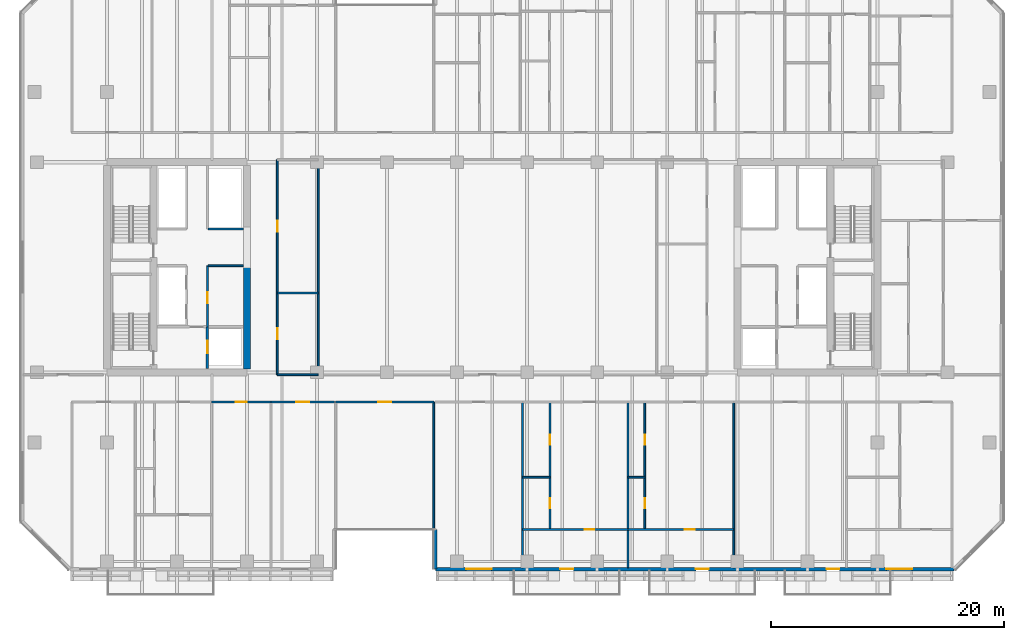
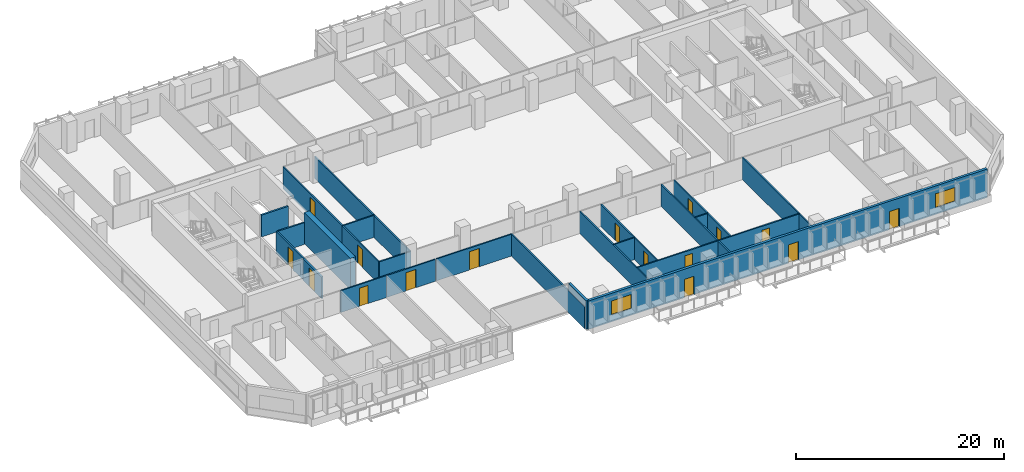
# One storey, part 11 of 25: 25 walls, 16 doors, 2 windows, 18 openings.
"""IFC4 building model written with IfcOpenShell, lengths in metres."""

import ifcopenshell
import ifcopenshell.guid

model = None  # the IFC model being written
_history = None  # IfcOwnerHistory: only IFC2X3 demands one
_inside = {}  # id of a spatial element -> (the spatial element, [elements in it])
_under = {}  # id of a project, library or spatial element -> (it, [spatial elements below it])
_declared = {}  # id of a project -> (the project, [libraries it declares])
_typed = {}  # id of a type object -> (the type object, [elements of that type])
_made_of = {}  # id of a material, layer set ... -> (it, [elements and type objects made of it])


def new_model(schema):
    """Start an empty IFC model of exactly this schema.

    Asked for "IFC4X3", IfcOpenShell would pick the latest addendum, in which some entities
    have other attributes; the version numbers below select the first issue.
    IFC2X3 requires an IfcOwnerHistory on every rooted entity: one is made here for all.
    """
    global model, _history
    if schema == "IFC4X3":
        model = ifcopenshell.file(schema_version=(4, 3, 0, 0))
    else:
        model = ifcopenshell.file(schema=schema)
    _inside.clear()
    _under.clear()
    _declared.clear()
    _typed.clear()
    _made_of.clear()
    _history = None
    if model.schema == "IFC2X3":
        org = make("IfcOrganization", Name="unknown")
        user = make(
            "IfcPersonAndOrganization",
            ThePerson=make("IfcPerson", FamilyName="unknown"),
            TheOrganization=org,
        )
        app = make(
            "IfcApplication",
            ApplicationDeveloper=org,
            Version="unknown",
            ApplicationFullName="unknown",
            ApplicationIdentifier="unknown",
        )
        _history = make(
            "IfcOwnerHistory",
            OwningUser=user,
            OwningApplication=app,
            ChangeAction="ADDED",
            CreationDate=0,
        )
    return model


def make(cls, **values):
    """One entity of the class cls with the attributes given. An attribute that is None is left unset."""
    return model.create_entity(
        cls, **{name: value for name, value in values.items() if value is not None}
    )


def rooted(cls, **values):
    """An entity with a GlobalId (a new one), such as an element, a storey or a relation."""
    return make(cls, GlobalId=ifcopenshell.guid.new(), OwnerHistory=_history, **values)


def si_unit(unit_type, name, prefix=None):
    """IfcSIUnit, for example si_unit("LENGTHUNIT", "METRE", prefix="MILLI")."""
    return make("IfcSIUnit", UnitType=unit_type, Prefix=prefix, Name=name)


def assignment(units):
    """IfcUnitAssignment: the units of a project."""
    return None if units is None else make("IfcUnitAssignment", Units=units)


def point(xyz):
    """IfcCartesianPoint."""
    return None if xyz is None else make("IfcCartesianPoint", Coordinates=xyz)


def direction(xyz):
    """IfcDirection."""
    return None if xyz is None else make("IfcDirection", DirectionRatios=xyz)


def frame(location, z_axis=None, x_axis=None):
    """IfcAxis2Placement3D, a coordinate frame: its origin and axes. An axis left out is left unset."""
    return make(
        "IfcAxis2Placement3D",
        Location=point(location),
        Axis=direction(z_axis),
        RefDirection=direction(x_axis),
    )


def frame_2d(location, x_axis=None):
    """IfcAxis2Placement2D, a coordinate frame in the plane: its origin and x axis."""
    return make(
        "IfcAxis2Placement2D", Location=point(location), RefDirection=direction(x_axis)
    )


def origin():
    """The frame at (0, 0, 0) with its axes left unset."""
    return frame((0.0, 0.0, 0.0))


def place(relative_to, where):
    """IfcLocalPlacement: puts the frame where relative to a parent placement (None: the world)."""
    return make(
        "IfcLocalPlacement", PlacementRelTo=relative_to, RelativePlacement=where
    )


def context(
    kind, dimensions, precision=None, world=None, true_north=None, identifier=None
):
    """IfcGeometricRepresentationContext, for example the 3D "Model" context."""
    return make(
        "IfcGeometricRepresentationContext",
        ContextIdentifier=identifier,
        ContextType=kind,
        CoordinateSpaceDimension=dimensions,
        Precision=precision,
        WorldCoordinateSystem=world,
        TrueNorth=true_north,
    )


def subcontext(parent, identifier, kind, view, scale=None):
    """IfcGeometricRepresentationSubContext, for example "Body" below "Model"."""
    return make(
        "IfcGeometricRepresentationSubContext",
        ContextIdentifier=identifier,
        ContextType=kind,
        ParentContext=parent,
        TargetScale=scale,
        TargetView=view,
    )


def project(units=None, contexts=None):
    """IfcProject with its units and contexts."""
    return rooted(
        "IfcProject",
        Name="project",
        RepresentationContexts=contexts,
        UnitsInContext=assignment(units),
    )


def spatial(cls, under=None, at=None, **own):
    """A site, building, storey or space (cls), placed at a placement, below another one or the project."""
    s = rooted(cls, ObjectPlacement=at, **own)
    if under is not None:
        _under.setdefault(under.id(), (under, []))[1].append(s)
    return s


def profile(cls, at=None, kind="AREA", **sizes):
    """A parametric profile (cls). Its sizes go by their IFC names, for example OverallWidth=200.0."""
    return make(cls, ProfileType=kind, Position=at, **sizes)


def rectangle(**sizes):
    """IfcRectangleProfileDef."""
    return profile("IfcRectangleProfileDef", **sizes)


def extrude(swept, where, along, depth):
    """IfcExtrudedAreaSolid: the profile swept, set in the frame where, extruded along a direction by depth."""
    return make(
        "IfcExtrudedAreaSolid",
        SweptArea=swept,
        Position=where,
        ExtrudedDirection=direction(along),
        Depth=depth,
    )


def shape(context_of_items, identifier, shape_type, items):
    """IfcShapeRepresentation: the items that make up one representation, for example the "Body"."""
    return make(
        "IfcShapeRepresentation",
        ContextOfItems=context_of_items,
        RepresentationIdentifier=identifier,
        RepresentationType=shape_type,
        Items=items,
    )


def material(Name=None, Category=None):
    """IfcMaterial."""
    return make("IfcMaterial", Name=Name, Category=Category)


def layer(
    of_material, thickness, ventilated=None, Name=None, Category=None, Priority=None
):
    """IfcMaterialLayer: one layer of a wall or slab, of a material (None: an air gap)."""
    return make(
        "IfcMaterialLayer",
        Material=of_material,
        LayerThickness=thickness,
        IsVentilated=ventilated,
        Name=Name,
        Category=Category,
        Priority=Priority,
    )


def layer_set(layers, Name=None):
    """IfcMaterialLayerSet."""
    return make("IfcMaterialLayerSet", MaterialLayers=layers, LayerSetName=Name)


def made_of(thing, what):
    """Note that an element or type object is made of a material, layer set ...; save() writes the relation."""
    if what is not None:
        _made_of.setdefault(what.id(), (what, []))[1].append(thing)
    return thing


def type_object(cls, material=None, **own):
    """A type object (cls), such as IfcWallType, which elements share."""
    return made_of(rooted(cls, **own), material)


def element(
    cls,
    number,
    at=None,
    inside=None,
    cuts=None,
    type_object=None,
    material=None,
    context=None,
    identifier="Body",
    shape_type=None,
    held_by="IfcProductDefinitionShape",
    body=None,
    shapes=None,
    **own,
):
    """One element of the class cls, such as IfcWall. Its Tag is "e" and its number.

    at: its placement. inside: the storey or other place that contains it. cuts: it is an
    opening in that element (IfcRelVoidsElement). A single representation is given by context,
    identifier, shape_type and body (its items); several are given by shapes. held_by: the class
    of the entity that holds the representations. save() writes the other relations.
    """
    e = rooted(cls, Tag="e%d" % number, ObjectPlacement=at, **own)
    if body is not None:
        shapes = [shape(context, identifier, shape_type, body)]
    if shapes is not None:
        e.Representation = make(held_by, Representations=shapes)
    if inside is not None:
        _inside.setdefault(inside.id(), (inside, []))[1].append(e)
    if cuts is not None:
        rooted(
            "IfcRelVoidsElement", RelatingBuildingElement=cuts, RelatedOpeningElement=e
        )
    if type_object is not None:
        _typed.setdefault(type_object.id(), (type_object, []))[1].append(e)
    return made_of(e, material)


def fill(opening, filler):
    """IfcRelFillsElement: the door or window that sits in an opening."""
    return rooted(
        "IfcRelFillsElement",
        RelatingOpeningElement=opening,
        RelatedBuildingElement=filler,
    )


def aggregate(whole, parts):
    """IfcRelAggregates: a whole, such as a stair, and the parts it consists of."""
    return rooted("IfcRelAggregates", RelatingObject=whole, RelatedObjects=parts)


def save(model, path):
    """Write the relations noted so far, then the file.

    IfcRelAggregates (storeys below a building ...), IfcRelContainedInSpatialStructure (elements
    in a storey), IfcRelDefinesByType, IfcRelAssociatesMaterial and IfcRelDeclares: one each for
    every whole, place, type object, material and project.
    """
    for whole, parts in _under.values():
        aggregate(whole, parts)
    for where, things in _inside.values():
        rooted(
            "IfcRelContainedInSpatialStructure",
            RelatedElements=things,
            RelatingStructure=where,
        )
    for kind, things in _typed.values():
        rooted("IfcRelDefinesByType", RelatedObjects=things, RelatingType=kind)
    for what, things in _made_of.values():
        rooted("IfcRelAssociatesMaterial", RelatedObjects=things, RelatingMaterial=what)
    for by, libraries in _declared.values():
        rooted("IfcRelDeclares", RelatingContext=by, RelatedDefinitions=libraries)
    model.write(path)


model = new_model("IFC4")

# Units and contexts
model_context = context("Model", 3, precision=1e-05, world=origin(), true_north=direction((0.0, 1.0)))
body_context = subcontext(model_context, "Body", "Model", "MODEL_VIEW")
ifc_project = project(units=[si_unit("LENGTHUNIT", "METRE"), si_unit("AREAUNIT", "SQUARE_METRE"), si_unit("VOLUMEUNIT", "CUBIC_METRE"), si_unit("PLANEANGLEUNIT", "RADIAN"), si_unit("MASSUNIT", "GRAM", prefix="KILO")], contexts=[model_context])

# Site, building, storey
site_placement = place(None, origin())
site = spatial("IfcSite", under=ifc_project, at=site_placement, CompositionType="ELEMENT")
building_placement = place(site_placement, origin())
building = spatial("IfcBuilding", under=site, at=building_placement, Name="Tanjung Sevakor Pilgrim Tower", CompositionType="ELEMENT")
storey_placement = place(building_placement, frame((0.0, 0.0, 69.6298828125)))
storey = spatial("IfcBuildingStorey", under=building, at=storey_placement, Name="L19", CompositionType="ELEMENT", Elevation=69.6298828125)

# Walls
ifc_material_1 = material(Name="Concrete C60/75", Category="concrete")
ifc_layer_1 = layer(ifc_material_1, 0.60009765625)
ifc_layer_set_1 = layer_set([ifc_layer_1], Name="WALL-CW-600")
wall_type_1 = type_object("IfcWallType", Name="WALL-CW-600", PredefinedType="SHEAR", material=ifc_layer_set_1)
wall_1_placement = place(storey_placement, frame((36.0, 24.89990234375, 0.0), z_axis=(0.0, 0.0, 1.0), x_axis=(0.0, 1.0, 0.0)))
element("IfcWall", 1, at=wall_1_placement, inside=storey, type_object=wall_type_1, Name="L19 W Core Inner Shear Wall South", PredefinedType="SHEAR", context=body_context, shape_type="SweptSolid", body=[
    extrude(rectangle(XDim=8.900146484375, YDim=0.60009765625, at=frame_2d((4.4501953125, 0.0))), origin(), (0.0, 0.0, 1.0), 3.630126953125),
])
ifc_material_2 = material(Name="Concrete C40/50", Category="concrete")
ifc_layer_2 = layer(ifc_material_2, 0.14990234375)
ifc_layer_set_2 = layer_set([ifc_layer_2], Name="WT-COMP-150")
wall_type_2 = type_object("IfcWallType", Name="WT-COMP-150", PredefinedType="SOLIDWALL", material=ifc_layer_set_2)
wall_2_placement = place(storey_placement, frame((32.679931640625, 33.719970703125, 0.0), z_axis=(0.0, 0.0, 1.0), x_axis=(1.0, 0.0, 0.0)))
element("IfcWall", 2, at=wall_2_placement, inside=storey, type_object=wall_type_2, Name="L19 Partition IW-L19-005", PredefinedType="SOLIDWALL", context=body_context, shape_type="SweptSolid", body=[
    extrude(rectangle(XDim=3.0, YDim=0.14990234375, at=frame_2d((1.5, 0.0))), origin(), (0.0, 0.0, 1.0), 2.570068359375),
])

# Wall, opening, door
wall_3_placement = place(storey_placement, frame((32.6201171875, 28.5, 0.0), z_axis=(0.0, 0.0, 1.0), x_axis=(0.0, 1.0, 0.0)))
wall_3 = element("IfcWall", 3, at=wall_3_placement, inside=storey, type_object=wall_type_2, Name="L19 Partition IW-L19-006", PredefinedType="SOLIDWALL", context=body_context, shape_type="SweptSolid", body=[
    extrude(rectangle(XDim=5.219970703125, YDim=0.14990234375, at=frame_2d((2.60986328125, 0.0))), origin(), (0.0, 0.0, 1.0), 2.570068359375),
])
opening_1_placement = place(wall_3_placement, frame((2.0, 0.0, 0.0)))
opening_1 = element("IfcOpeningElement", 4, at=opening_1_placement, cuts=wall_3, Name="Opening ID-FD2", PredefinedType="OPENING", context=body_context, shape_type="SweptSolid", body=[
    extrude(rectangle(XDim=0.949951171875, YDim=2.14990234375, at=frame_2d((0.47509765625, 1.074951171875))), frame((0.0, 0.0849609375, 0.0), z_axis=(0.0, -1.0, 0.0), x_axis=(1.0, 0.0, 0.0)), (0.0, 0.0, 1.0), 0.169921875),
])
ifc_material_3 = material(Name="Fire-Rated Timber", Category="wood")
door_type_1 = type_object("IfcDoorType", Name="DT-FIRE-950", OperationType="NOTDEFINED", PredefinedType="DOOR", material=ifc_material_3)
door_1_placement = place(opening_1_placement, origin())
door_1 = element("IfcDoor", 5, at=door_1_placement, inside=storey, type_object=door_type_1, Name="L19 Accessible WC Door", OperationType="SINGLE_SWING_RIGHT", OverallHeight=2.14990234375, OverallWidth=0.949951171875, PredefinedType="DOOR", context=body_context, shape_type="SweptSolid", body=[
    extrude(rectangle(XDim=0.949951171875, YDim=2.14990234375, at=frame_2d((0.47509765625, 1.074951171875))), frame((0.0, 0.02490234375, 0.0), z_axis=(0.0, -1.0, 0.0), x_axis=(1.0, 0.0, 0.0)), (0.0, 0.0, 1.0), 0.050048828125),
])
fill(opening_1, door_1)

# Walls
wall_4_placement = place(storey_placement, frame((38.60009765625, 24.39990234375, 0.0), z_axis=(0.0, 0.0, 1.0), x_axis=(1.0, 0.0, 0.0)))
element("IfcWall", 6, at=wall_4_placement, inside=storey, type_object=wall_type_2, Name="L19 Partition IW-L19-021", PredefinedType="SOLIDWALL", context=body_context, shape_type="SweptSolid", body=[
    extrude(rectangle(XDim=3.5, YDim=0.14990234375, at=frame_2d((1.75, 0.0))), origin(), (0.0, 0.0, 1.0), 2.565185546875),
])
wall_5_placement = place(storey_placement, frame((38.60009765625, 31.39990234375, 0.0), z_axis=(0.0, 0.0, 1.0), x_axis=(1.0, 0.0, 0.0)))
element("IfcWall", 7, at=wall_5_placement, inside=storey, type_object=wall_type_2, Name="L19 Partition IW-L19-022", PredefinedType="SOLIDWALL", context=body_context, shape_type="SweptSolid", body=[
    extrude(rectangle(XDim=3.5, YDim=0.14990234375, at=frame_2d((1.75, 0.0))), origin(), (0.0, 0.0, 1.0), 2.570068359375),
])

# Wall, opening, door
wall_6_placement = place(storey_placement, frame((38.60009765625, 24.39990234375, 0.0), z_axis=(0.0, 0.0, 1.0), x_axis=(0.0, 1.0, 0.0)))
wall_6 = element("IfcWall", 8, at=wall_6_placement, inside=storey, type_object=wall_type_2, Name="L19 Partition IW-L19-023", PredefinedType="SOLIDWALL", context=body_context, shape_type="SweptSolid", body=[
    extrude(rectangle(XDim=7.0, YDim=0.14990234375, at=frame_2d((3.5, 0.0))), origin(), (0.0, 0.0, 1.0), 2.570068359375),
])
opening_2_placement = place(wall_6_placement, frame((3.02490234375, 0.0, 0.0)))
opening_2 = element("IfcOpeningElement", 9, at=opening_2_placement, cuts=wall_6, Name="Opening ID-RM1", PredefinedType="OPENING", context=body_context, shape_type="SweptSolid", body=[
    extrude(rectangle(XDim=0.949951171875, YDim=2.14990234375, at=frame_2d((0.47509765625, 1.074951171875))), frame((0.0, 0.0849609375, 0.0), z_axis=(0.0, -1.0, 0.0), x_axis=(1.0, 0.0, 0.0)), (0.0, 0.0, 1.0), 0.169921875),
])
ifc_material_4 = material(Name="Hardwood Timber", Category="wood")
door_type_2 = type_object("IfcDoorType", Name="DT-INT-950", OperationType="NOTDEFINED", PredefinedType="DOOR", material=ifc_material_4)
door_2_placement = place(opening_2_placement, origin())
door_2 = element("IfcDoor", 10, at=door_2_placement, inside=storey, type_object=door_type_2, Name="L19 Male Ablution Door", OperationType="SINGLE_SWING_RIGHT", OverallHeight=2.14990234375, OverallWidth=0.949951171875, PredefinedType="DOOR", context=body_context, shape_type="SweptSolid", body=[
    extrude(rectangle(XDim=0.949951171875, YDim=2.14990234375, at=frame_2d((0.47509765625, 1.074951171875))), frame((0.0, 0.02490234375, 0.0), z_axis=(0.0, -1.0, 0.0), x_axis=(1.0, 0.0, 0.0)), (0.0, 0.0, 1.0), 0.050048828125),
])
fill(opening_2, door_2)

wall_7_placement = place(storey_placement, frame((38.60009765625, 31.39990234375, 0.0), z_axis=(0.0, 0.0, 1.0), x_axis=(0.0, 1.0, 0.0)))
wall_7 = element("IfcWall", 11, at=wall_7_placement, inside=storey, type_object=wall_type_2, Name="L19 Partition IW-L19-025", PredefinedType="SOLIDWALL", context=body_context, shape_type="SweptSolid", body=[
    extrude(rectangle(XDim=11.400146484375, YDim=0.14990234375, at=frame_2d((5.7001953125, 0.0))), origin(), (0.0, 0.0, 1.0), 2.570068359375),
])
opening_3_placement = place(wall_7_placement, frame((5.22509765625, 0.0, 0.0)))
opening_3 = element("IfcOpeningElement", 12, at=opening_3_placement, cuts=wall_7, Name="Opening ID-RM1", PredefinedType="OPENING", context=body_context, shape_type="SweptSolid", body=[
    extrude(rectangle(XDim=0.949951171875, YDim=2.14990234375, at=frame_2d((0.47509765625, 1.074951171875))), frame((0.0, 0.0849609375, 0.0), z_axis=(0.0, -1.0, 0.0), x_axis=(1.0, 0.0, 0.0)), (0.0, 0.0, 1.0), 0.169921875),
])
door_3_placement = place(opening_3_placement, origin())
door_3 = element("IfcDoor", 13, at=door_3_placement, inside=storey, type_object=door_type_2, Name="L19 Male Washroom Door", OperationType="SINGLE_SWING_LEFT", OverallHeight=2.14990234375, OverallWidth=0.949951171875, PredefinedType="DOOR", context=body_context, shape_type="SweptSolid", body=[
    extrude(rectangle(XDim=0.949951171875, YDim=2.14990234375, at=frame_2d((0.47509765625, 1.074951171875))), frame((0.0, 0.02490234375, 0.0), z_axis=(0.0, -1.0, 0.0), x_axis=(1.0, 0.0, 0.0)), (0.0, 0.0, 1.0), 0.050048828125),
])
fill(opening_3, door_3)

# Wall
wall_8_placement = place(storey_placement, frame((42.10009765625, 24.39990234375, 0.0), z_axis=(0.0, 0.0, 1.0), x_axis=(0.0, 1.0, 0.0)))
element("IfcWall", 14, at=wall_8_placement, inside=storey, type_object=wall_type_2, Name="L19 Partition IW-L19-028", PredefinedType="SOLIDWALL", context=body_context, shape_type="SweptSolid", body=[
    extrude(rectangle(XDim=18.400146484375, YDim=0.14990234375, at=frame_2d((9.2001953125, 0.0))), origin(), (0.0, 0.0, 1.0), 2.570068359375),
])

# Wall, opening, door
wall_9_placement = place(storey_placement, frame((43.60009765625, 22.050048828125, 0.0), z_axis=(0.0, 0.0, 1.0), x_axis=(1.0, 0.0, 0.0)))
wall_9 = element("IfcWall", 15, at=wall_9_placement, inside=storey, type_object=wall_type_2, Name="L19 Partition IW-L19-042", PredefinedType="SOLIDWALL", context=body_context, shape_type="SweptSolid", body=[
    extrude(rectangle(XDim=8.39990234375, YDim=0.14990234375, at=frame_2d((4.199951171875, 0.0))), origin(), (0.0, 0.0, 1.0), 2.570068359375),
])
opening_4_placement = place(wall_9_placement, frame((3.64990234375, 0.0, 0.0)))
opening_4 = element("IfcOpeningElement", 16, at=opening_4_placement, cuts=wall_9, Name="Opening ID-RM2", PredefinedType="OPENING", context=body_context, shape_type="SweptSolid", body=[
    extrude(rectangle(XDim=1.10009765625, YDim=2.14990234375, at=frame_2d((0.550048828125, 1.074951171875))), frame((0.0, 0.0849609375, 0.0), z_axis=(0.0, -1.0, 0.0), x_axis=(1.0, 0.0, 0.0)), (0.0, 0.0, 1.0), 0.169921875),
])
ifc_material_5 = material(Name="Hardwood Timber", Category="wood")
door_type_3 = type_object("IfcDoorType", Name="DT-INT-1100", OperationType="NOTDEFINED", PredefinedType="DOOR", material=ifc_material_5)
door_4_placement = place(opening_4_placement, origin())
door_4 = element("IfcDoor", 17, at=door_4_placement, inside=storey, type_object=door_type_3, Name="L19 South Cleft Communal Lounge Door", OperationType="SINGLE_SWING_RIGHT", OverallHeight=2.14990234375, OverallWidth=1.10009765625, PredefinedType="DOOR", context=body_context, shape_type="SweptSolid", body=[
    extrude(rectangle(XDim=1.10009765625, YDim=2.14990234375, at=frame_2d((0.550048828125, 1.074951171875))), frame((0.0, 0.02490234375, 0.0), z_axis=(0.0, -1.0, 0.0), x_axis=(1.0, 0.0, 0.0)), (0.0, 0.0, 1.0), 0.050048828125),
])
fill(opening_4, door_4)

# Wall
wall_10_placement = place(storey_placement, frame((52.0, 7.8798828125, 0.0), z_axis=(0.0, 0.0, 1.0), x_axis=(0.0, 1.0, 0.0)))
element("IfcWall", 18, at=wall_10_placement, inside=storey, type_object=wall_type_2, Name="L19 Partition IW-L19-044", PredefinedType="SOLIDWALL", context=body_context, shape_type="SweptSolid", body=[
    extrude(rectangle(XDim=14.170166015625, YDim=0.14990234375, at=frame_2d((7.0849609375, 0.0))), origin(), (0.0, 0.0, 1.0), 2.570068359375),
])

# Wall, opening, door
wall_11_placement = place(storey_placement, frame((32.963134765625, 22.050048828125, 0.0), z_axis=(0.0, 0.0, 1.0), x_axis=(1.0, 0.0, 0.0)))
wall_11 = element("IfcWall", 19, at=wall_11_placement, inside=storey, type_object=wall_type_2, Name="L19 Partition IW-L19-057", PredefinedType="SOLIDWALL", context=body_context, shape_type="SweptSolid", body=[
    extrude(rectangle(XDim=5.083251953125, YDim=0.14990234375, at=frame_2d((2.54150390625, 0.0))), origin(), (0.0, 0.0, 1.0), 2.570068359375),
])
opening_5_placement = place(wall_11_placement, frame((2.066650390625, 0.0, 0.0)))
opening_5 = element("IfcOpeningElement", 20, at=opening_5_placement, cuts=wall_11, Name="Opening ID-FD2", PredefinedType="OPENING", context=body_context, shape_type="SweptSolid", body=[
    extrude(rectangle(XDim=0.949951171875, YDim=2.14990234375, at=frame_2d((0.47509765625, 1.074951171875))), frame((0.0, 0.0849609375, 0.0), z_axis=(0.0, -1.0, 0.0), x_axis=(1.0, 0.0, 0.0)), (0.0, 0.0, 1.0), 0.169921875),
])
door_5_placement = place(opening_5_placement, origin())
door_5 = element("IfcDoor", 21, at=door_5_placement, inside=storey, type_object=door_type_1, Name="Study Room Entrance", OperationType="SINGLE_SWING_LEFT", OverallHeight=2.14990234375, OverallWidth=0.949951171875, PredefinedType="DOOR", context=body_context, shape_type="SweptSolid", body=[
    extrude(rectangle(XDim=0.949951171875, YDim=2.14990234375, at=frame_2d((0.47509765625, 1.074951171875))), frame((0.0, 0.02490234375, 0.0), z_axis=(0.0, -1.0, 0.0), x_axis=(1.0, 0.0, 0.0)), (0.0, 0.0, 1.0), 0.050048828125),
])
fill(opening_5, door_5)

wall_12_placement = place(storey_placement, frame((38.04638671875, 22.050048828125, 0.0), z_axis=(0.0, 0.0, 1.0), x_axis=(1.0, 0.0, 0.0)))
wall_12 = element("IfcWall", 22, at=wall_12_placement, inside=storey, type_object=wall_type_2, Name="L19 Partition IW-L19-058", PredefinedType="SOLIDWALL", context=body_context, shape_type="SweptSolid", body=[
    extrude(rectangle(XDim=5.43359375, YDim=0.14990234375, at=frame_2d((2.716796875, 0.0))), origin(), (0.0, 0.0, 1.0), 2.570068359375),
])
opening_6_placement = place(wall_12_placement, frame((2.166748046875, 0.0, 0.0)))
opening_6 = element("IfcOpeningElement", 23, at=opening_6_placement, cuts=wall_12, Name="Opening ID-FD0", PredefinedType="OPENING", context=body_context, shape_type="SweptSolid", body=[
    extrude(rectangle(XDim=1.10009765625, YDim=2.14990234375, at=frame_2d((0.550048828125, 1.074951171875))), frame((0.0, 0.0849609375, 0.0), z_axis=(0.0, -1.0, 0.0), x_axis=(1.0, 0.0, 0.0)), (0.0, 0.0, 1.0), 0.169921875),
])
ifc_material_6 = material(Name="Fire-Rated Steel S355J2", Category="steel")
door_type_4 = type_object("IfcDoorType", Name="DT-FIRE-1100", OperationType="NOTDEFINED", PredefinedType="DOOR", material=ifc_material_6)
door_6_placement = place(opening_6_placement, origin())
door_6 = element("IfcDoor", 24, at=door_6_placement, inside=storey, type_object=door_type_4, Name="Communal Lounge Door", OperationType="SINGLE_SWING_RIGHT", OverallHeight=2.14990234375, OverallWidth=1.10009765625, PredefinedType="DOOR", context=body_context, shape_type="SweptSolid", body=[
    extrude(rectangle(XDim=1.10009765625, YDim=2.14990234375, at=frame_2d((0.550048828125, 1.074951171875))), frame((0.0, 0.02490234375, 0.0), z_axis=(0.0, -1.0, 0.0), x_axis=(1.0, 0.0, 0.0)), (0.0, 0.0, 1.0), 0.050048828125),
])
fill(opening_6, door_6)

# Walls
for number, where, z_axis, x_axis, name in (
    (25, (59.60400390625, 7.8798828125, 0.0), (0.0, 0.0, 1.0), (0.0, 1.0, 0.0), "L19 Partition IW-L19-060"),
    (26, (68.64697265625, 7.8798828125, 0.0), (0.0, 0.0, 1.0), (0.0, 1.0, 0.0), "L19 Partition IW-L19-062"),
    (27, (77.690185546875, 7.8798828125, 0.0), (0.0, 0.0, 1.0), (0.0, 1.0, 0.0), "L19 Partition IW-L19-067"),
):
    element("IfcWall", number, at=place(storey_placement, frame(where, z_axis=z_axis, x_axis=x_axis)), inside=storey, type_object=wall_type_2, Name=name, PredefinedType="SOLIDWALL", context=body_context, shape_type="SweptSolid", body=[
        extrude(rectangle(XDim=14.170166015625, YDim=0.14990234375, at=frame_2d((7.0849609375, 0.0))), origin(), (0.0, 0.0, 1.0), 2.570068359375),
    ])
ifc_material_7 = material(Name="Precast concrete C45/55", Category="concrete")
ifc_layer_3 = layer(ifc_material_7, 0.280029296875)
ifc_layer_set_3 = layer_set([ifc_layer_3], Name="WT-EW-STN2")
wall_type_3 = type_object("IfcWallType", Name="WT-EW-STN2", PredefinedType="SOLIDWALL", material=ifc_layer_set_3)
wall_13_placement = place(storey_placement, frame((52.139892578125, 11.139892578125, 0.0), z_axis=(0.0, 0.0, 1.0), x_axis=(0.0, -1.0, 0.0)))
element("IfcWall", 28, at=wall_13_placement, inside=storey, type_object=wall_type_3, Name="L19 MAIN Exterior Wall 4", PredefinedType="SOLIDWALL", context=body_context, shape_type="SweptSolid", body=[
    extrude(rectangle(XDim=3.39990234375, YDim=0.280029296875, at=frame_2d((1.699951171875, 0.0))), origin(), (0.0, 0.0, 1.0), 3.35009765625),
])

# Wall, openings, doors, windows
wall_14_placement = place(storey_placement, frame((52.139892578125, 7.739990234375, 0.0), z_axis=(0.0, 0.0, 1.0), x_axis=(1.0, 0.0, 0.0)))
wall_14 = element("IfcWall", 29, at=wall_14_placement, inside=storey, type_object=wall_type_3, Name="L19 MAIN Exterior Wall 5", PredefinedType="SOLIDWALL", context=body_context, shape_type="SweptSolid", body=[
    extrude(rectangle(XDim=44.402099609375, YDim=0.280029296875, at=frame_2d((22.201171875, 0.0))), origin(), (0.0, 0.0, 1.0), 3.35009765625),
])
opening_7_placement = place(wall_14_placement, frame((10.7099609375, 0.0, 0.0)))
opening_7 = element("IfcOpeningElement", 30, at=opening_7_placement, cuts=wall_14, Name="Opening ED-BAL-1100", PredefinedType="OPENING", context=body_context, shape_type="SweptSolid", body=[
    extrude(rectangle(XDim=1.10009765625, YDim=2.14990234375, at=frame_2d((0.550048828125, 1.074951171875))), frame((0.0, 0.14990234375, 0.0), z_axis=(0.0, -1.0, 0.0), x_axis=(1.0, 0.0, 0.0)), (0.0, 0.0, 1.0), 0.300048828125),
])
opening_8_placement = place(wall_14_placement, frame((22.31005859375, 0.0, 0.0)))
opening_8 = element("IfcOpeningElement", 31, at=opening_8_placement, cuts=wall_14, Name="Opening ED-BAL-1100", PredefinedType="OPENING", context=body_context, shape_type="SweptSolid", body=[
    extrude(rectangle(XDim=1.10009765625, YDim=2.14990234375, at=frame_2d((0.550048828125, 1.074951171875))), frame((0.0, 0.14990234375, 0.0), z_axis=(0.0, -1.0, 0.0), x_axis=(1.0, 0.0, 0.0)), (0.0, 0.0, 1.0), 0.300048828125),
])
opening_9_placement = place(wall_14_placement, frame((33.510009765625, 0.0, 0.0)))
opening_9 = element("IfcOpeningElement", 32, at=opening_9_placement, cuts=wall_14, Name="Opening ED-BAL-1100", PredefinedType="OPENING", context=body_context, shape_type="SweptSolid", body=[
    extrude(rectangle(XDim=1.10009765625, YDim=2.14990234375, at=frame_2d((0.550048828125, 1.074951171875))), frame((0.0, 0.14990234375, 0.0), z_axis=(0.0, -1.0, 0.0), x_axis=(1.0, 0.0, 0.0)), (0.0, 0.0, 1.0), 0.300048828125),
])
opening_10_placement = place(wall_14_placement, frame((2.621826171875, 0.0, 0.780029296875)))
opening_10 = element("IfcOpeningElement", 33, at=opening_10_placement, cuts=wall_14, Name="Opening WN-Z1-1660", PredefinedType="OPENING", context=body_context, shape_type="SweptSolid", body=[
    extrude(rectangle(XDim=2.199951171875, YDim=1.659912109375, at=frame_2d((1.10009765625, 0.830078125))), frame((0.0, 0.14990234375, 0.0), z_axis=(0.0, -1.0, 0.0), x_axis=(1.0, 0.0, 0.0)), (0.0, 0.0, 1.0), 0.300048828125),
])
opening_11_placement = place(wall_14_placement, frame((38.638427734375, 0.0, 0.780029296875)))
opening_11 = element("IfcOpeningElement", 34, at=opening_11_placement, cuts=wall_14, Name="Opening WN-Z1-1660", PredefinedType="OPENING", context=body_context, shape_type="SweptSolid", body=[
    extrude(rectangle(XDim=2.199951171875, YDim=1.659912109375, at=frame_2d((1.10009765625, 0.830078125))), frame((0.0, 0.14990234375, 0.0), z_axis=(0.0, -1.0, 0.0), x_axis=(1.0, 0.0, 0.0)), (0.0, 0.0, 1.0), 0.300048828125),
])
ifc_material_8 = material(Name="Anodised Aluminium and Laminated Glass", Category="aluminium")
door_type_5 = type_object("IfcDoorType", Name="DTYP-ED-BAL-1100", OperationType="NOTDEFINED", PredefinedType="DOOR", material=ifc_material_8)
door_7_placement = place(opening_7_placement, frame((1.10009765625, 0.0, 0.0), z_axis=(0.0, 0.0, 1.0), x_axis=(-1.0, 0.0, 0.0)))
door_7 = element("IfcDoor", 35, at=door_7_placement, inside=storey, type_object=door_type_5, Name="L19 Balcony Door MAIN-S2", OperationType="SINGLE_SWING_LEFT", OverallHeight=2.14990234375, OverallWidth=1.10009765625, PredefinedType="DOOR", context=body_context, shape_type="SweptSolid", body=[
    extrude(rectangle(XDim=1.10009765625, YDim=2.14990234375, at=frame_2d((0.550048828125, 1.074951171875))), frame((0.0, 0.02490234375, 0.0), z_axis=(0.0, -1.0, 0.0), x_axis=(1.0, 0.0, 0.0)), (0.0, 0.0, 1.0), 0.050048828125),
])
fill(opening_7, door_7)
door_8_placement = place(opening_8_placement, frame((1.10009765625, 0.0, 0.0), z_axis=(0.0, 0.0, 1.0), x_axis=(-1.0, 0.0, 0.0)))
door_8 = element("IfcDoor", 36, at=door_8_placement, inside=storey, type_object=door_type_5, Name="L19 Balcony Door MAIN-S3", OperationType="SINGLE_SWING_RIGHT", OverallHeight=2.14990234375, OverallWidth=1.10009765625, PredefinedType="DOOR", context=body_context, shape_type="SweptSolid", body=[
    extrude(rectangle(XDim=1.10009765625, YDim=2.14990234375, at=frame_2d((0.550048828125, 1.074951171875))), frame((0.0, 0.02490234375, 0.0), z_axis=(0.0, -1.0, 0.0), x_axis=(1.0, 0.0, 0.0)), (0.0, 0.0, 1.0), 0.050048828125),
])
fill(opening_8, door_8)
door_9_placement = place(opening_9_placement, frame((1.10009765625, 0.0, 0.0), z_axis=(0.0, 0.0, 1.0), x_axis=(-1.0, 0.0, 0.0)))
door_9 = element("IfcDoor", 37, at=door_9_placement, inside=storey, type_object=door_type_5, Name="L19 Balcony Door MAIN-S4", OperationType="SINGLE_SWING_LEFT", OverallHeight=2.14990234375, OverallWidth=1.10009765625, PredefinedType="DOOR", context=body_context, shape_type="SweptSolid", body=[
    extrude(rectangle(XDim=1.10009765625, YDim=2.14990234375, at=frame_2d((0.550048828125, 1.074951171875))), frame((0.0, 0.02490234375, 0.0), z_axis=(0.0, -1.0, 0.0), x_axis=(1.0, 0.0, 0.0)), (0.0, 0.0, 1.0), 0.050048828125),
])
fill(opening_9, door_9)
ifc_material_9 = material(Name="Thermally Broken Aluminium and Low-E Glass", Category="aluminium")
window_type = type_object("IfcWindowType", Name="WTYP-WN-Z1-1660", PartitioningType="DOUBLE_PANEL_VERTICAL", PredefinedType="WINDOW", material=ifc_material_9)
window_1_placement = place(opening_10_placement, origin())
window_1 = element("IfcWindow", 38, at=window_1_placement, inside=storey, type_object=window_type, Name="L19 Facade Window 01", OverallHeight=1.659912109375, OverallWidth=2.199951171875, PartitioningType="SINGLE_PANEL", PredefinedType="WINDOW", context=body_context, shape_type="SweptSolid", body=[
    extrude(rectangle(XDim=2.199951171875, YDim=1.659912109375, at=frame_2d((1.10009765625, 0.830078125))), frame((0.0, 0.030029296875, 0.0), z_axis=(0.0, -1.0, 0.0), x_axis=(1.0, 0.0, 0.0)), (0.0, 0.0, 1.0), 0.06005859375),
])
fill(opening_10, window_1)
window_2_placement = place(opening_11_placement, origin())
window_2 = element("IfcWindow", 39, at=window_2_placement, inside=storey, type_object=window_type, Name="L19 Facade Window 02", OverallHeight=1.659912109375, OverallWidth=2.199951171875, PartitioningType="SINGLE_PANEL", PredefinedType="WINDOW", context=body_context, shape_type="SweptSolid", body=[
    extrude(rectangle(XDim=2.199951171875, YDim=1.659912109375, at=frame_2d((1.10009765625, 0.830078125))), frame((0.0, 0.030029296875, 0.0), z_axis=(0.0, -1.0, 0.0), x_axis=(1.0, 0.0, 0.0)), (0.0, 0.0, 1.0), 0.06005859375),
])
fill(opening_11, window_2)

# Wall, opening, door
ifc_material_10 = material(Name="Concrete C40/50", Category="concrete")
ifc_layer_4 = layer(ifc_material_10, 0.199951171875)
ifc_layer_set_4 = layer_set([ifc_layer_4], Name="WT-FPRT-200")
wall_type_4 = type_object("IfcWallType", Name="WT-FPRT-200", PredefinedType="SOLIDWALL", material=ifc_layer_set_4)
wall_15_placement = place(storey_placement, frame((32.60009765625, 24.919921875, 0.0), z_axis=(0.0, 0.0, 1.0), x_axis=(0.0, 1.0, 0.0)))
wall_15 = element("IfcWall", 40, at=wall_15_placement, inside=storey, type_object=wall_type_4, Name="L19 Partition IW-L19-001", PredefinedType="SOLIDWALL", context=body_context, shape_type="SweptSolid", body=[
    extrude(rectangle(XDim=3.580078125, YDim=0.199951171875, at=frame_2d((1.7900390625, 0.0))), origin(), (0.0, 0.0, 1.0), 2.570068359375),
])
opening_12_placement = place(wall_15_placement, frame((1.300048828125, 0.0, 0.0)))
opening_12 = element("IfcOpeningElement", 41, at=opening_12_placement, cuts=wall_15, Name="Opening LD-1100", PredefinedType="OPENING", context=body_context, shape_type="SweptSolid", body=[
    extrude(rectangle(XDim=1.10009765625, YDim=2.199951171875, at=frame_2d((0.550048828125, 1.10009765625))), frame((0.0, 0.10986328125, 0.0), z_axis=(0.0, -1.0, 0.0), x_axis=(1.0, 0.0, 0.0)), (0.0, 0.0, 1.0), 0.219970703125),
])
ifc_material_11 = material(Name="Brushed Stainless Steel S355J2", Category="steel")
door_type_6 = type_object("IfcDoorType", Name="DT-LIFT-1100", OperationType="SLIDING_TO_LEFT", PredefinedType="DOOR", material=ifc_material_11)
door_10_placement = place(opening_12_placement, origin())
door_10 = element("IfcDoor", 42, at=door_10_placement, inside=storey, type_object=door_type_6, Name="LD-FL-W", OperationType="SLIDING_TO_LEFT", OverallHeight=2.199951171875, OverallWidth=1.10009765625, PredefinedType="DOOR", context=body_context, shape_type="SweptSolid", body=[
    extrude(rectangle(XDim=1.10009765625, YDim=2.199951171875, at=frame_2d((0.550048828125, 1.10009765625))), frame((0.0, 0.02490234375, 0.0), z_axis=(0.0, -1.0, 0.0), x_axis=(1.0, 0.0, 0.0)), (0.0, 0.0, 1.0), 0.050048828125),
])
fill(opening_12, door_10)

# Walls
wall_16_placement = place(storey_placement, frame((32.679931640625, 36.8798828125, 0.0), z_axis=(0.0, 0.0, 1.0), x_axis=(1.0, 0.0, 0.0)))
element("IfcWall", 43, at=wall_16_placement, inside=storey, type_object=wall_type_4, Name="L19 Partition IW-L19-009", PredefinedType="SOLIDWALL", context=body_context, shape_type="SweptSolid", body=[
    extrude(rectangle(XDim=3.0, YDim=0.199951171875, at=frame_2d((1.5, 0.0))), origin(), (0.0, 0.0, 1.0), 2.570068359375),
])
ifc_material_12 = material(Name="Gypsum Board Partition", Category="gypsum board")
ifc_layer_5 = layer(ifc_material_12, 0.14990234375)
ifc_layer_set_5 = layer_set([ifc_layer_5], Name="WT-PART-150")
wall_type_5 = type_object("IfcWallType", Name="WT-PART-150", PredefinedType="PARTITIONING", material=ifc_layer_set_5)
wall_17_placement = place(storey_placement, frame((59.60400390625, 15.614501953125, 0.0), z_axis=(0.0, 0.0, 1.0), x_axis=(1.0, 0.0, 0.0)))
element("IfcWall", 44, at=wall_17_placement, inside=storey, type_object=wall_type_5, Name="L19 Partition IW-L19-063", PredefinedType="PARTITIONING", context=body_context, shape_type="SweptSolid", body=[
    extrude(rectangle(XDim=2.349853515625, YDim=0.14990234375, at=frame_2d((1.1748046875, 0.0))), origin(), (0.0, 0.0, 1.0), 2.570068359375),
])

# Wall, openings, doors
wall_18_placement = place(storey_placement, frame((61.953857421875, 11.14208984375, 0.0), z_axis=(0.0, 0.0, 1.0), x_axis=(0.0, 1.0, 0.0)))
wall_18 = element("IfcWall", 45, at=wall_18_placement, inside=storey, type_object=wall_type_5, Name="L19 Partition IW-L19-064", PredefinedType="PARTITIONING", context=body_context, shape_type="SweptSolid", body=[
    extrude(rectangle(XDim=10.907958984375, YDim=0.14990234375, at=frame_2d((5.4541015625, 0.0))), origin(), (0.0, 0.0, 1.0), 2.570068359375),
])
opening_13_placement = place(wall_18_placement, frame((1.81103515625, 0.0, 0.0)))
opening_13 = element("IfcOpeningElement", 46, at=opening_13_placement, cuts=wall_18, Name="Opening ID-WC1", PredefinedType="OPENING", context=body_context, shape_type="SweptSolid", body=[
    extrude(rectangle(XDim=0.85009765625, YDim=2.10009765625, at=frame_2d((0.425048828125, 1.050048828125))), frame((0.0, 0.0849609375, 0.0), z_axis=(0.0, -1.0, 0.0), x_axis=(1.0, 0.0, 0.0)), (0.0, 0.0, 1.0), 0.169921875),
])
opening_14_placement = place(wall_18_placement, frame((7.264892578125, 0.0, 0.0)))
opening_14 = element("IfcOpeningElement", 47, at=opening_14_placement, cuts=wall_18, Name="Opening ID-WC1", PredefinedType="OPENING", context=body_context, shape_type="SweptSolid", body=[
    extrude(rectangle(XDim=0.85009765625, YDim=2.10009765625, at=frame_2d((0.425048828125, 1.050048828125))), frame((0.0, 0.0849609375, 0.0), z_axis=(0.0, -1.0, 0.0), x_axis=(1.0, 0.0, 0.0)), (0.0, 0.0, 1.0), 0.169921875),
])
ifc_material_13 = material(Name="Moisture-Resistant Timber", Category="wood")
door_type_7 = type_object("IfcDoorType", Name="DT-INT-850", OperationType="NOTDEFINED", PredefinedType="DOOR", material=ifc_material_13)
door_11_placement = place(opening_13_placement, origin())
door_11 = element("IfcDoor", 48, at=door_11_placement, inside=storey, type_object=door_type_7, Name="Residence Bathroom Door", OperationType="SINGLE_SWING_RIGHT", OverallHeight=2.10009765625, OverallWidth=0.85009765625, PredefinedType="DOOR", context=body_context, shape_type="SweptSolid", body=[
    extrude(rectangle(XDim=0.85009765625, YDim=2.10009765625, at=frame_2d((0.425048828125, 1.050048828125))), frame((0.0, 0.02490234375, 0.0), z_axis=(0.0, -1.0, 0.0), x_axis=(1.0, 0.0, 0.0)), (0.0, 0.0, 1.0), 0.050048828125),
])
fill(opening_13, door_11)
door_12_placement = place(opening_14_placement, origin())
door_12 = element("IfcDoor", 49, at=door_12_placement, inside=storey, type_object=door_type_7, Name="Residence Kitchenette Door", OperationType="SINGLE_SWING_LEFT", OverallHeight=2.10009765625, OverallWidth=0.85009765625, PredefinedType="DOOR", context=body_context, shape_type="SweptSolid", body=[
    extrude(rectangle(XDim=0.85009765625, YDim=2.10009765625, at=frame_2d((0.425048828125, 1.050048828125))), frame((0.0, 0.02490234375, 0.0), z_axis=(0.0, -1.0, 0.0), x_axis=(1.0, 0.0, 0.0)), (0.0, 0.0, 1.0), 0.050048828125),
])
fill(opening_14, door_12)

# Wall, opening, door
wall_19_placement = place(storey_placement, frame((59.60400390625, 11.14208984375, 0.0), z_axis=(0.0, 0.0, 1.0), x_axis=(1.0, 0.0, 0.0)))
wall_19 = element("IfcWall", 50, at=wall_19_placement, inside=storey, type_object=wall_type_5, Name="L19 Partition IW-L19-065", PredefinedType="PARTITIONING", context=body_context, shape_type="SweptSolid", body=[
    extrude(rectangle(XDim=9.04296875, YDim=0.14990234375, at=frame_2d((4.521484375, 0.0))), origin(), (0.0, 0.0, 1.0), 2.570068359375),
])
opening_15_placement = place(wall_19_placement, frame((5.3115234375, 0.0, 0.0)))
opening_15 = element("IfcOpeningElement", 51, at=opening_15_placement, cuts=wall_19, Name="Opening ID-WC1", PredefinedType="OPENING", context=body_context, shape_type="SweptSolid", body=[
    extrude(rectangle(XDim=0.85009765625, YDim=2.10009765625, at=frame_2d((0.425048828125, 1.050048828125))), frame((0.0, 0.0849609375, 0.0), z_axis=(0.0, -1.0, 0.0), x_axis=(1.0, 0.0, 0.0)), (0.0, 0.0, 1.0), 0.169921875),
])
door_13_placement = place(opening_15_placement, origin())
door_13 = element("IfcDoor", 52, at=door_13_placement, inside=storey, type_object=door_type_7, Name="Residence Bedroom Door", OperationType="SINGLE_SWING_RIGHT", OverallHeight=2.10009765625, OverallWidth=0.85009765625, PredefinedType="DOOR", context=body_context, shape_type="SweptSolid", body=[
    extrude(rectangle(XDim=0.85009765625, YDim=2.10009765625, at=frame_2d((0.425048828125, 1.050048828125))), frame((0.0, 0.02490234375, 0.0), z_axis=(0.0, -1.0, 0.0), x_axis=(1.0, 0.0, 0.0)), (0.0, 0.0, 1.0), 0.050048828125),
])
fill(opening_15, door_13)

# Wall
wall_20_placement = place(storey_placement, frame((68.64697265625, 15.614501953125, 0.0), z_axis=(0.0, 0.0, 1.0), x_axis=(1.0, 0.0, 0.0)))
element("IfcWall", 53, at=wall_20_placement, inside=storey, type_object=wall_type_5, Name="L19 Partition IW-L19-068", PredefinedType="PARTITIONING", context=body_context, shape_type="SweptSolid", body=[
    extrude(rectangle(XDim=1.43310546875, YDim=0.14990234375, at=frame_2d((0.716552734375, 0.0))), origin(), (0.0, 0.0, 1.0), 2.570068359375),
])

# Wall, openings, doors
wall_21_placement = place(storey_placement, frame((70.080078125, 11.14208984375, 0.0), z_axis=(0.0, 0.0, 1.0), x_axis=(0.0, 1.0, 0.0)))
wall_21 = element("IfcWall", 54, at=wall_21_placement, inside=storey, type_object=wall_type_5, Name="L19 Partition IW-L19-069", PredefinedType="PARTITIONING", context=body_context, shape_type="SweptSolid", body=[
    extrude(rectangle(XDim=10.907958984375, YDim=0.14990234375, at=frame_2d((5.4541015625, 0.0))), origin(), (0.0, 0.0, 1.0), 2.570068359375),
])
opening_16_placement = place(wall_21_placement, frame((1.81103515625, 0.0, 0.0)))
opening_16 = element("IfcOpeningElement", 55, at=opening_16_placement, cuts=wall_21, Name="Opening ID-WC1", PredefinedType="OPENING", context=body_context, shape_type="SweptSolid", body=[
    extrude(rectangle(XDim=0.85009765625, YDim=2.10009765625, at=frame_2d((0.425048828125, 1.050048828125))), frame((0.0, 0.0849609375, 0.0), z_axis=(0.0, -1.0, 0.0), x_axis=(1.0, 0.0, 0.0)), (0.0, 0.0, 1.0), 0.169921875),
])
opening_17_placement = place(wall_21_placement, frame((7.264892578125, 0.0, 0.0)))
opening_17 = element("IfcOpeningElement", 56, at=opening_17_placement, cuts=wall_21, Name="Opening ID-WC1", PredefinedType="OPENING", context=body_context, shape_type="SweptSolid", body=[
    extrude(rectangle(XDim=0.85009765625, YDim=2.10009765625, at=frame_2d((0.425048828125, 1.050048828125))), frame((0.0, 0.0849609375, 0.0), z_axis=(0.0, -1.0, 0.0), x_axis=(1.0, 0.0, 0.0)), (0.0, 0.0, 1.0), 0.169921875),
])
door_14_placement = place(opening_16_placement, origin())
door_14 = element("IfcDoor", 57, at=door_14_placement, inside=storey, type_object=door_type_7, Name="Residence Bathroom Door", OperationType="SINGLE_SWING_RIGHT", OverallHeight=2.10009765625, OverallWidth=0.85009765625, PredefinedType="DOOR", context=body_context, shape_type="SweptSolid", body=[
    extrude(rectangle(XDim=0.85009765625, YDim=2.10009765625, at=frame_2d((0.425048828125, 1.050048828125))), frame((0.0, 0.02490234375, 0.0), z_axis=(0.0, -1.0, 0.0), x_axis=(1.0, 0.0, 0.0)), (0.0, 0.0, 1.0), 0.050048828125),
])
fill(opening_16, door_14)
door_15_placement = place(opening_17_placement, origin())
door_15 = element("IfcDoor", 58, at=door_15_placement, inside=storey, type_object=door_type_7, Name="Residence Kitchenette Door", OperationType="SINGLE_SWING_LEFT", OverallHeight=2.10009765625, OverallWidth=0.85009765625, PredefinedType="DOOR", context=body_context, shape_type="SweptSolid", body=[
    extrude(rectangle(XDim=0.85009765625, YDim=2.10009765625, at=frame_2d((0.425048828125, 1.050048828125))), frame((0.0, 0.02490234375, 0.0), z_axis=(0.0, -1.0, 0.0), x_axis=(1.0, 0.0, 0.0)), (0.0, 0.0, 1.0), 0.050048828125),
])
fill(opening_17, door_15)

# Wall, opening, door
wall_22_placement = place(storey_placement, frame((68.64697265625, 11.14208984375, 0.0), z_axis=(0.0, 0.0, 1.0), x_axis=(1.0, 0.0, 0.0)))
wall_22 = element("IfcWall", 59, at=wall_22_placement, inside=storey, type_object=wall_type_5, Name="L19 Partition IW-L19-070", PredefinedType="PARTITIONING", context=body_context, shape_type="SweptSolid", body=[
    extrude(rectangle(XDim=9.043212890625, YDim=0.14990234375, at=frame_2d((4.521484375, 0.0))), origin(), (0.0, 0.0, 1.0), 2.570068359375),
])
opening_18_placement = place(wall_22_placement, frame((4.85302734375, 0.0, 0.0)))
opening_18 = element("IfcOpeningElement", 60, at=opening_18_placement, cuts=wall_22, Name="Opening ID-WC1", PredefinedType="OPENING", context=body_context, shape_type="SweptSolid", body=[
    extrude(rectangle(XDim=0.85009765625, YDim=2.10009765625, at=frame_2d((0.425048828125, 1.050048828125))), frame((0.0, 0.0849609375, 0.0), z_axis=(0.0, -1.0, 0.0), x_axis=(1.0, 0.0, 0.0)), (0.0, 0.0, 1.0), 0.169921875),
])
door_16_placement = place(opening_18_placement, origin())
door_16 = element("IfcDoor", 61, at=door_16_placement, inside=storey, type_object=door_type_7, Name="Residence Bedroom Door", OperationType="SINGLE_SWING_RIGHT", OverallHeight=2.10009765625, OverallWidth=0.85009765625, PredefinedType="DOOR", context=body_context, shape_type="SweptSolid", body=[
    extrude(rectangle(XDim=0.85009765625, YDim=2.10009765625, at=frame_2d((0.425048828125, 1.050048828125))), frame((0.0, 0.02490234375, 0.0), z_axis=(0.0, -1.0, 0.0), x_axis=(1.0, 0.0, 0.0)), (0.0, 0.0, 1.0), 0.050048828125),
])
fill(opening_18, door_16)

save(model, "model.ifc")
